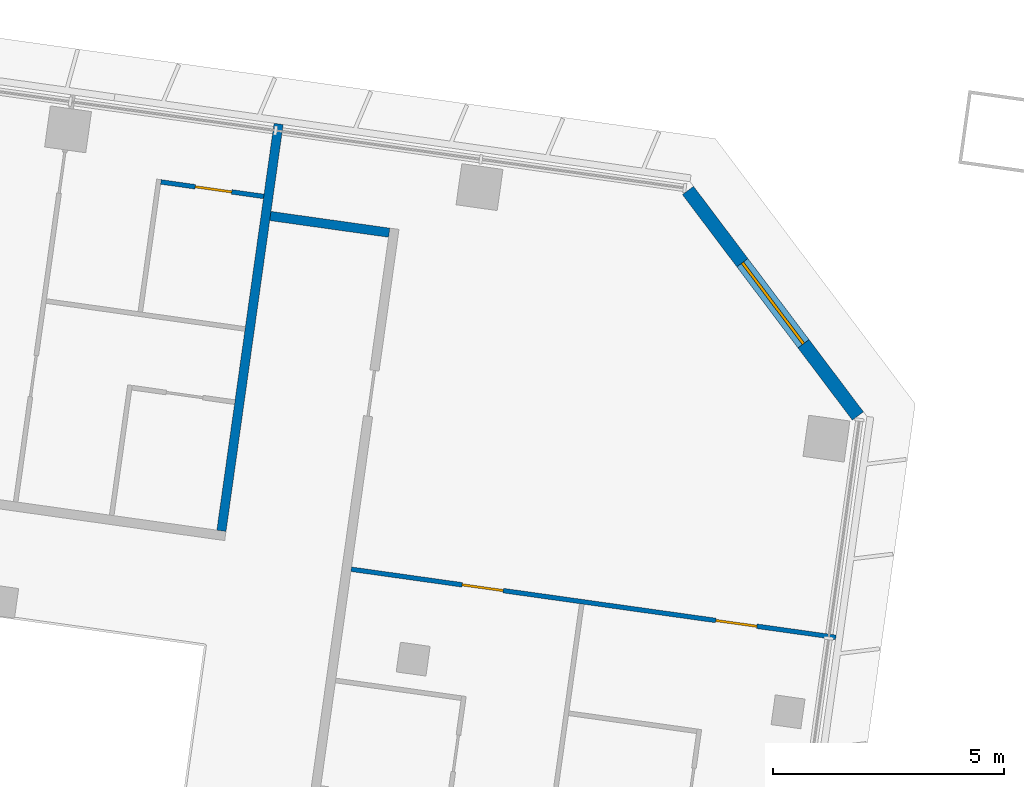
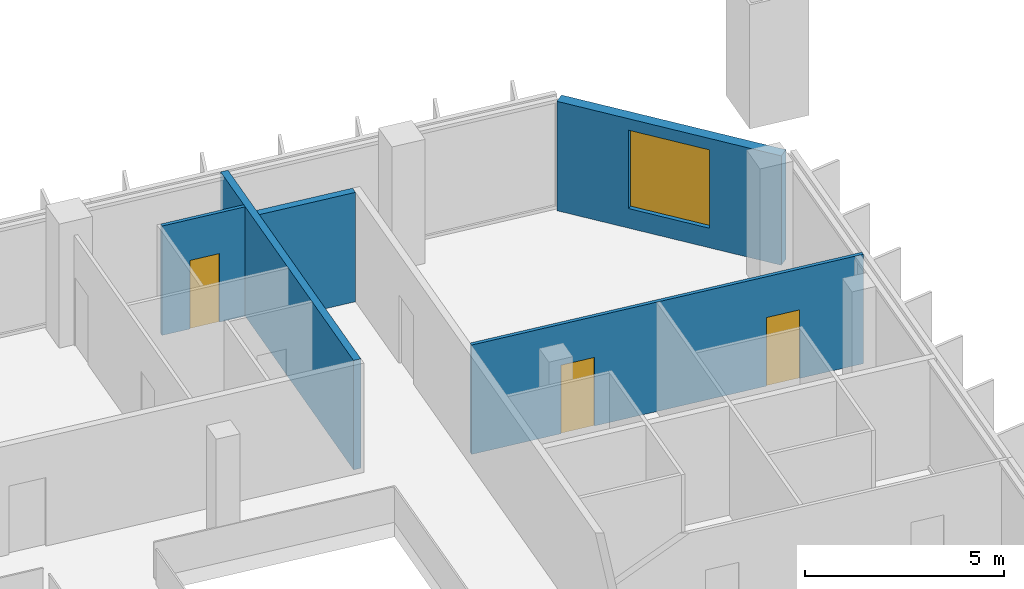
# One storey, part 25 of 33: 5 walls, 3 doors, 1 window, 4 openings.
"""IFC4 building model written with IfcOpenShell, lengths in metres."""

from ifc_helpers import new_model, si_unit, direction, frame, frame_2d, origin, place, context, subcontext, project, spatial, rectangle, extrude, material, layer, layer_set, type_object, element, fill, save


model = new_model("IFC4")

# Units and contexts
model_context = context("Model", 3, precision=1e-05, world=origin(), true_north=direction((0.0, 1.0)))
body_context = subcontext(model_context, "Body", "Model", "MODEL_VIEW")
ifc_project = project(units=[si_unit("LENGTHUNIT", "METRE"), si_unit("AREAUNIT", "SQUARE_METRE"), si_unit("VOLUMEUNIT", "CUBIC_METRE"), si_unit("PLANEANGLEUNIT", "RADIAN"), si_unit("MASSUNIT", "GRAM", prefix="KILO")], contexts=[model_context])

# Site, building, storey
site_placement = place(None, origin())
site = spatial("IfcSite", under=ifc_project, at=site_placement, CompositionType="ELEMENT")
building_placement = place(site_placement, origin())
building = spatial("IfcBuilding", under=site, at=building_placement, Name="Mirante Cascada Hotel Towers", CompositionType="ELEMENT")
storey_placement = place(building_placement, frame((0.0, 0.0, 121.5)))
storey = spatial("IfcBuildingStorey", under=building, at=storey_placement, Name="L27", CompositionType="ELEMENT", Elevation=121.5)

# Walls
ifc_material_1 = material(Name="Fire-rated plasterboard on metal studs")
ifc_layer_1 = layer(ifc_material_1, 0.2)
ifc_layer_set_1 = layer_set([ifc_layer_1], Name="Compartment wall 200 EI 120")
wall_type_1 = type_object("IfcWallType", Name="Compartment wall 200 EI 120", PredefinedType="PARTITIONING", material=ifc_layer_set_1)
wall_1_placement = place(storey_placement, frame((-40.9036, 16.6995, 0.0), z_axis=(0.0, 0.0, 1.0), x_axis=(0.9902647, -0.1391971, 0.0)))
element("IfcWall", 1, at=wall_1_placement, inside=storey, type_object=wall_type_1, Name="Wall 1-L27-27", PredefinedType="PARTITIONING", context=body_context, shape_type="SweptSolid", body=[
    extrude(rectangle(XDim=2.5999, YDim=0.2, at=frame_2d((1.3, 0.0))), origin(), (0.0, 0.0, 1.0), 3.35),
])
wall_2_placement = place(storey_placement, frame((-40.7243, 18.6939, 0.0), z_axis=(0.0, 0.0, 1.0), x_axis=(-0.1391794, -0.9902672, 0.0)))
element("IfcWall", 2, at=wall_2_placement, inside=storey, type_object=wall_type_1, Name="Wall 1-L27-37", PredefinedType="PARTITIONING", context=body_context, shape_type="SweptSolid", body=[
    extrude(rectangle(XDim=8.9, YDim=0.2, at=frame_2d((4.45, 0.0))), origin(), (0.0, 0.0, 1.0), 3.35),
])

# Wall, openings, doors
ifc_material_2 = material(Name="Plasterboard on metal studs")
ifc_layer_2 = layer(ifc_material_2, 0.1)
ifc_layer_set_2 = layer_set([ifc_layer_2], Name="Partition 100")
wall_type_2 = type_object("IfcWallType", Name="Partition 100", PredefinedType="PARTITIONING", material=ifc_layer_set_2)
wall_3_placement = place(storey_placement, frame((-28.6547, 7.5726, 0.0), z_axis=(0.0, 0.0, 1.0), x_axis=(-0.9902671, 0.1391797, 0.0)))
wall_3 = element("IfcWall", 3, at=wall_3_placement, inside=storey, type_object=wall_type_2, Name="Wall 1-L27-14", PredefinedType="PARTITIONING", context=body_context, shape_type="SweptSolid", body=[
    extrude(rectangle(XDim=10.6, YDim=0.1, at=frame_2d((5.3, 0.0))), origin(), (0.0, 0.0, 1.0), 3.35),
])
opening_1_placement = place(wall_3_placement, frame((1.725, 0.0, 0.0)))
opening_1 = element("IfcOpeningElement", 4, at=opening_1_placement, cuts=wall_3, Name="Opening D1-L27-05", PredefinedType="OPENING", context=body_context, shape_type="SweptSolid", body=[
    extrude(rectangle(XDim=0.9, YDim=2.1, at=frame_2d((0.45, 1.05))), frame((0.0, 0.05, 0.0), z_axis=(0.0, -1.0, 0.0), x_axis=(1.0, 0.0, 0.0)), (0.0, 0.0, 1.0), 0.1),
])
opening_2_placement = place(wall_3_placement, frame((7.275, 0.0, 0.0)))
opening_2 = element("IfcOpeningElement", 5, at=opening_2_placement, cuts=wall_3, Name="Opening D1-L27-06", PredefinedType="OPENING", context=body_context, shape_type="SweptSolid", body=[
    extrude(rectangle(XDim=0.9, YDim=2.1, at=frame_2d((0.45, 1.05))), frame((0.0, 0.05, 0.0), z_axis=(0.0, -1.0, 0.0), x_axis=(1.0, 0.0, 0.0)), (0.0, 0.0, 1.0), 0.1),
])
ifc_material_3 = material(Name="Timber door leaf", Category="wood")
door_type_1 = type_object("IfcDoorType", Name="Room door DG3 900x2100", OperationType="SINGLE_SWING_LEFT", PredefinedType="DOOR", material=ifc_material_3)
door_1_placement = place(opening_1_placement, frame((0.9, 0.0, 0.0), z_axis=(0.0, 0.0, 1.0), x_axis=(-1.0, 0.0, 0.0)))
door_1 = element("IfcDoor", 6, at=door_1_placement, inside=storey, type_object=door_type_1, Name="Door D1-L27-05", OperationType="SINGLE_SWING_RIGHT", OverallHeight=2.1, OverallWidth=0.9, PredefinedType="DOOR", context=body_context, shape_type="SweptSolid", body=[
    extrude(rectangle(XDim=0.9, YDim=2.1, at=frame_2d((0.45, 1.05))), frame((0.0, 0.025, 0.0), z_axis=(0.0, -1.0, 0.0), x_axis=(1.0, 0.0, 0.0)), (0.0, 0.0, 1.0), 0.05),
])
fill(opening_1, door_1)
door_2_placement = place(opening_2_placement, frame((0.9, 0.0, 0.0), z_axis=(0.0, 0.0, 1.0), x_axis=(-1.0, 0.0, 0.0)))
door_2 = element("IfcDoor", 7, at=door_2_placement, inside=storey, type_object=door_type_1, Name="Door D1-L27-06", OperationType="SINGLE_SWING_RIGHT", OverallHeight=2.1, OverallWidth=0.9, PredefinedType="DOOR", context=body_context, shape_type="SweptSolid", body=[
    extrude(rectangle(XDim=0.9, YDim=2.1, at=frame_2d((0.45, 1.05))), frame((0.0, 0.025, 0.0), z_axis=(0.0, -1.0, 0.0), x_axis=(1.0, 0.0, 0.0)), (0.0, 0.0, 1.0), 0.05),
])
fill(opening_2, door_2)

# Wall, opening, door
wall_4_placement = place(storey_placement, frame((-43.2741, 17.4366, 0.0), z_axis=(0.0, 0.0, 1.0), x_axis=(0.9902643, -0.1391997, 0.0)))
wall_4 = element("IfcWall", 8, at=wall_4_placement, inside=storey, type_object=wall_type_2, Name="Wall 1-L27-29", PredefinedType="PARTITIONING", context=body_context, shape_type="SweptSolid", body=[
    extrude(rectangle(XDim=2.25, YDim=0.1, at=frame_2d((1.125, 0.0))), origin(), (0.0, 0.0, 1.0), 3.35),
])
opening_3_placement = place(wall_4_placement, frame((0.75, 0.0, 0.0)))
opening_3 = element("IfcOpeningElement", 9, at=opening_3_placement, cuts=wall_4, Name="Opening D1-L27-20", PredefinedType="OPENING", context=body_context, shape_type="SweptSolid", body=[
    extrude(rectangle(XDim=0.8, YDim=2.1, at=frame_2d((0.4, 1.05))), frame((0.0, 0.05, 0.0), z_axis=(0.0, -1.0, 0.0), x_axis=(1.0, 0.0, 0.0)), (0.0, 0.0, 1.0), 0.1),
])
ifc_material_4 = material(Name="Timber door leaf", Category="wood")
door_type_2 = type_object("IfcDoorType", Name="Bathroom door DG4 800x2100", OperationType="SINGLE_SWING_LEFT", PredefinedType="DOOR", material=ifc_material_4)
door_3_placement = place(opening_3_placement, frame((0.8, 0.0, 0.0), z_axis=(0.0, 0.0, 1.0), x_axis=(-1.0, 0.0, 0.0)))
door_3 = element("IfcDoor", 10, at=door_3_placement, inside=storey, type_object=door_type_2, Name="Door D1-L27-20", OperationType="SINGLE_SWING_RIGHT", OverallHeight=2.1, OverallWidth=0.8, PredefinedType="DOOR", context=body_context, shape_type="SweptSolid", body=[
    extrude(rectangle(XDim=0.8, YDim=2.1, at=frame_2d((0.4, 1.05))), frame((0.0, 0.025, 0.0), z_axis=(0.0, -1.0, 0.0), x_axis=(1.0, 0.0, 0.0)), (0.0, 0.0, 1.0), 0.05),
])
fill(opening_3, door_3)

# Wall, opening, window
ifc_material_5 = material(Name="Precast concrete C40/50", Category="concrete")
ifc_layer_3 = layer(ifc_material_5, 0.3)
ifc_layer_set_3 = layer_set([ifc_layer_3], Name="Precast concrete C40/50 cladding wall 300")
wall_type_3 = type_object("IfcWallType", Name="Precast concrete C40/50 cladding wall 300", PredefinedType="STANDARD", material=ifc_layer_set_3)
wall_5_placement = place(storey_placement, frame((-31.857, 17.252, 0.0), z_axis=(0.0, 0.0, 1.0), x_axis=(0.6018141, -0.7986362, 0.0)))
wall_5 = element("IfcWall", 11, at=wall_5_placement, inside=storey, type_object=wall_type_3, Name="Corner cladding wall T1 L27 front inner", PredefinedType="STANDARD", context=body_context, shape_type="SweptSolid", body=[
    extrude(rectangle(XDim=6.1157, YDim=0.3, at=frame_2d((3.0578, 0.0))), origin(), (0.0, 0.0, 1.0), 3.35),
])
opening_4_placement = place(wall_5_placement, frame((1.9578, 0.0, 0.6)))
opening_4 = element("IfcOpeningElement", 12, at=opening_4_placement, cuts=wall_5, Name="Opening W1-27-05", PredefinedType="OPENING", context=body_context, shape_type="SweptSolid", body=[
    extrude(rectangle(XDim=2.2, YDim=2.4, at=frame_2d((1.1, 1.2))), frame((0.0, 0.15, 0.0), z_axis=(0.0, -1.0, 0.0), x_axis=(1.0, 0.0, 0.0)), (0.0, 0.0, 1.0), 0.3),
])
ifc_material_6 = material(Name="Aluminium frame with clear double glazing", Category="aluminium")
window_type = type_object("IfcWindowType", Name="Corner suite window 2200x2400", PartitioningType="DOUBLE_PANEL_VERTICAL", PredefinedType="WINDOW", material=ifc_material_6)
window_placement = place(opening_4_placement, origin())
window = element("IfcWindow", 13, at=window_placement, inside=storey, type_object=window_type, Name="Window W1-27-05", OverallHeight=2.4, OverallWidth=2.2, PartitioningType="SINGLE_PANEL", PredefinedType="WINDOW", context=body_context, shape_type="SweptSolid", body=[
    extrude(rectangle(XDim=2.2, YDim=2.4, at=frame_2d((1.1, 1.2))), frame((0.0, 0.03, 0.0), z_axis=(0.0, -1.0, 0.0), x_axis=(1.0, 0.0, 0.0)), (0.0, 0.0, 1.0), 0.06),
])
fill(opening_4, window)

save(model, "model.ifc")
